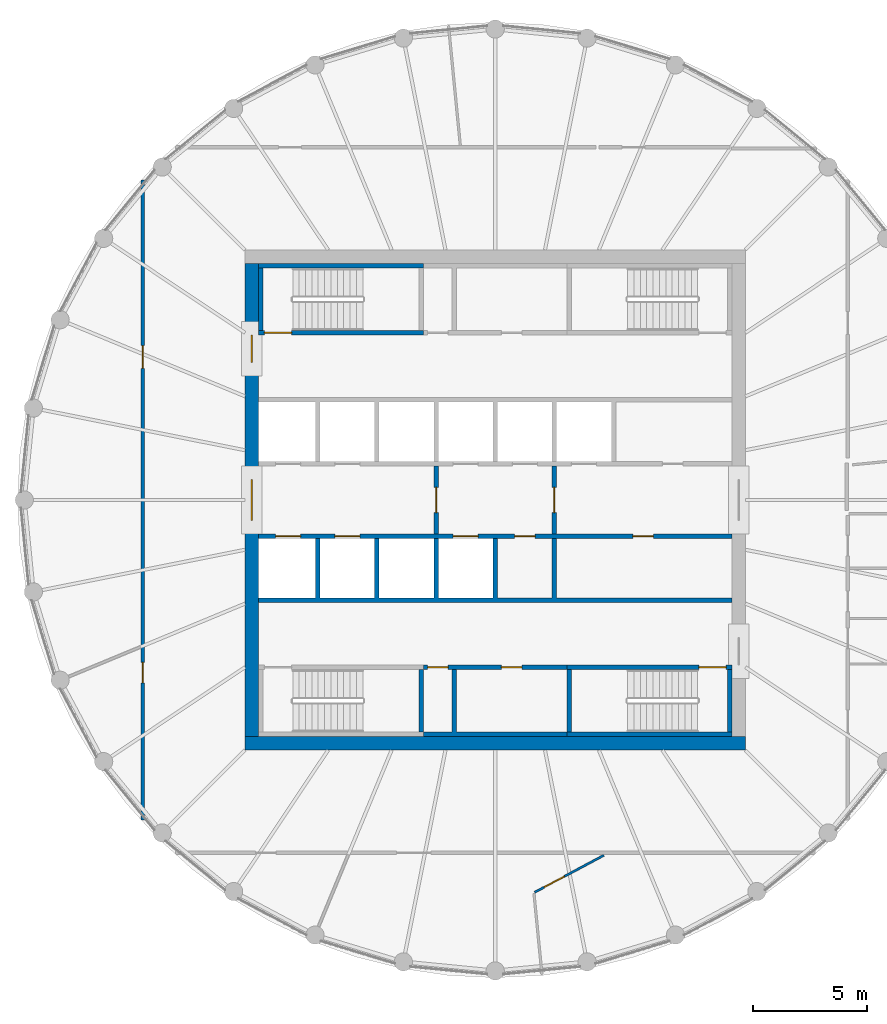
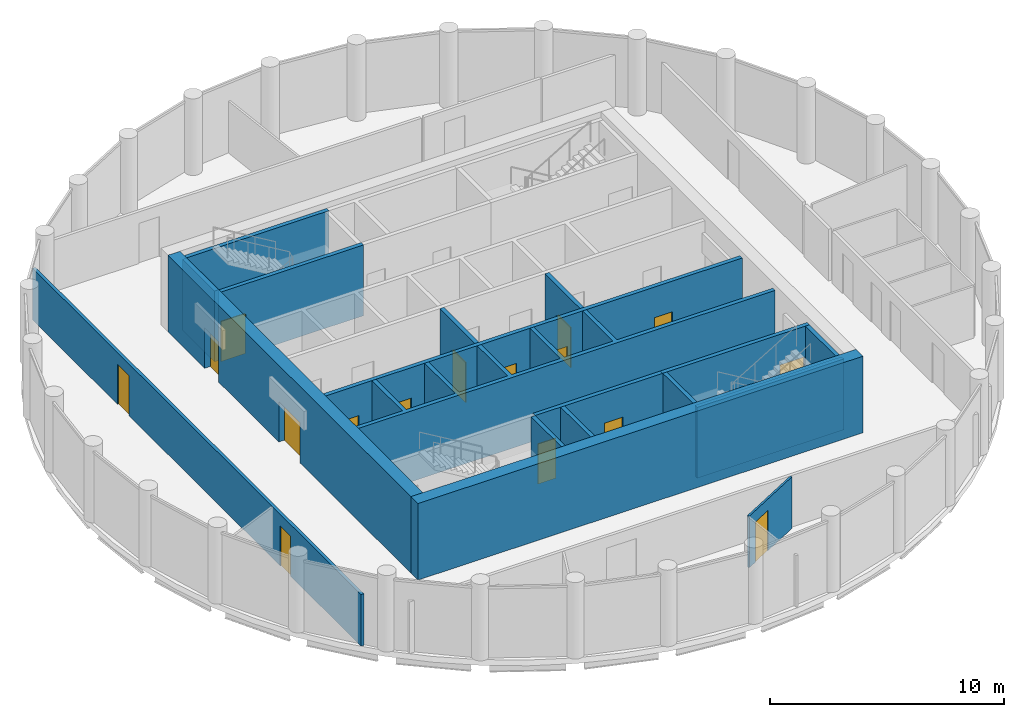
# One storey, part 4 of 7: 18 walls, 16 doors, 16 openings.
"""IFC4 building model written with IfcOpenShell, lengths in metres."""

from ifc_helpers import new_model, si_unit, direction, frame, frame_2d, origin, place, context, subcontext, project, spatial, polyline, rectangle, outline, extrude, material, layer, layer_set, type_object, element, fill, save


model = new_model("IFC4")

# Units and contexts
model_context = context("Model", 3, precision=1e-05, world=origin(), true_north=direction((0.0, 1.0)))
body_context = subcontext(model_context, "Body", "Model", "MODEL_VIEW")
ifc_project = project(units=[si_unit("LENGTHUNIT", "METRE"), si_unit("AREAUNIT", "SQUARE_METRE"), si_unit("VOLUMEUNIT", "CUBIC_METRE"), si_unit("PLANEANGLEUNIT", "RADIAN"), si_unit("MASSUNIT", "GRAM", prefix="KILO")], contexts=[model_context])

# Site, building, storey
site_placement = place(None, origin())
site = spatial("IfcSite", under=ifc_project, at=site_placement, CompositionType="ELEMENT")
building_placement = place(site_placement, origin())
building = spatial("IfcBuilding", under=site, at=building_placement, Name="Corvane Civic Tower", CompositionType="ELEMENT")
storey_placement = place(building_placement, frame((0.0, 0.0, 352.5)))
storey = spatial("IfcBuildingStorey", under=building, at=storey_placement, Name="L84", CompositionType="ELEMENT", Elevation=352.5)

# Wall
ifc_material_1 = material(Name="Concrete C40/50", Category="concrete")
ifc_layer_1 = layer(ifc_material_1, 0.60009765625)
ifc_layer_set_1 = layer_set([ifc_layer_1], Name="Concrete C40/50")
wall_type_1 = type_object("IfcWallType", Name="CORE WALL 600 C40/50", PredefinedType="SHEAR", material=ifc_layer_set_1)
wall_1_placement = place(storey_placement, frame((-11.0, -10.699951171875, 0.0), z_axis=(0.0, 0.0, 1.0), x_axis=(1.0, 0.0, 0.0)))
element("IfcWall", 1, at=wall_1_placement, inside=storey, type_object=wall_type_1, Name="W-L84-core-S", PredefinedType="SHEAR", context=body_context, shape_type="SweptSolid", body=[
    extrude(rectangle(XDim=22.0, YDim=0.60009765625, at=frame_2d((11.0, 0.0))), origin(), (0.0, 0.0, 1.0), 4.0),
])

# Wall, openings, doors
wall_2_placement = place(storey_placement, frame((-10.699951171875, -10.39990234375, 0.0), z_axis=(0.0, 0.0, 1.0), x_axis=(0.0, 1.0, 0.0)))
wall_2 = element("IfcWall", 2, at=wall_2_placement, inside=storey, type_object=wall_type_1, Name="W-L84-core-W", PredefinedType="SHEAR", context=body_context, shape_type="SweptSolid", body=[
    extrude(rectangle(XDim=20.7998046875, YDim=0.60009765625, at=frame_2d((10.39990234375, 0.0))), origin(), (0.0, 0.0, 1.0), 4.0),
])
opening_1_placement = place(wall_2_placement, frame((9.5, 0.0, 0.0)))
opening_1 = element("IfcOpeningElement", 3, at=opening_1_placement, cuts=wall_2, Name="Opening L84.C14", PredefinedType="OPENING", context=body_context, shape_type="SweptSolid", body=[
    extrude(rectangle(XDim=1.800048828125, YDim=2.10009765625, at=frame_2d((0.89990234375, 1.050048828125))), frame((0.0, 0.31005859375, 0.0), z_axis=(0.0, -1.0, 0.0), x_axis=(1.0, 0.0, 0.0)), (0.0, 0.0, 1.0), 0.6201171875),
])
opening_2_placement = place(wall_2_placement, frame((16.449951171875, 0.0, 0.0)))
opening_2 = element("IfcOpeningElement", 4, at=opening_2_placement, cuts=wall_2, Name="Opening L84.C16", PredefinedType="OPENING", context=body_context, shape_type="SweptSolid", body=[
    extrude(rectangle(XDim=1.199951171875, YDim=2.10009765625, at=frame_2d((0.60009765625, 1.050048828125))), frame((0.0, 0.31005859375, 0.0), z_axis=(0.0, -1.0, 0.0), x_axis=(1.0, 0.0, 0.0)), (0.0, 0.0, 1.0), 0.6201171875),
])
ifc_material_2 = material(Name="Steel fire door leaf", Category="steel")
door_type_1 = type_object("IfcDoorType", Name="CR-DOOR-CORE-1800", OperationType="DOUBLE_DOOR_SINGLE_SWING", PredefinedType="DOOR", material=ifc_material_2)
door_1_placement = place(opening_1_placement, origin())
door_1 = element("IfcDoor", 5, at=door_1_placement, inside=storey, type_object=door_type_1, Name="L84 door", OperationType="DOUBLE_DOOR_SINGLE_SWING", OverallHeight=2.10009765625, OverallWidth=1.800048828125, PredefinedType="DOOR", context=body_context, shape_type="SweptSolid", body=[
    extrude(rectangle(XDim=1.800048828125, YDim=2.10009765625, at=frame_2d((0.89990234375, 1.050048828125))), frame((0.0, 0.02490234375, 0.0), z_axis=(0.0, -1.0, 0.0), x_axis=(1.0, 0.0, 0.0)), (0.0, 0.0, 1.0), 0.050048828125),
])
fill(opening_1, door_1)
door_2_placement = place(opening_2_placement, origin())
door_2 = element("IfcDoor", 6, at=door_2_placement, inside=storey, type_object=door_type_1, Name="L84 door", OperationType="DOUBLE_DOOR_SINGLE_SWING", OverallHeight=2.10009765625, OverallWidth=1.199951171875, PredefinedType="DOOR", context=body_context, shape_type="SweptSolid", body=[
    extrude(rectangle(XDim=1.199951171875, YDim=2.10009765625, at=frame_2d((0.60009765625, 1.050048828125))), frame((0.0, 0.02490234375, 0.0), z_axis=(0.0, -1.0, 0.0), x_axis=(1.0, 0.0, 0.0)), (0.0, 0.0, 1.0), 0.050048828125),
])
fill(opening_2, door_2)

ifc_material_3 = material(Name="Concrete C30/37", Category="concrete")
ifc_layer_2 = layer(ifc_material_3, 0.199951171875)
ifc_layer_set_2 = layer_set([ifc_layer_2], Name="Concrete C30/37")
wall_type_2 = type_object("IfcWallType", Name="CR-WALL-200", PredefinedType="PARTITIONING", material=ifc_layer_set_2)
wall_3_placement = place(storey_placement, frame((-3.14990234375, -7.35009765625, 0.0), z_axis=(0.0, 0.0, 1.0), x_axis=(1.0, 0.0, 0.0)))
wall_3 = element("IfcWall", 7, at=wall_3_placement, inside=storey, type_object=wall_type_2, Name="L84 core partition wall", PredefinedType="PARTITIONING", context=body_context, shape_type="SweptSolid", body=[
    extrude(rectangle(XDim=6.2998046875, YDim=0.199951171875, at=frame_2d((3.14990234375, 0.0))), origin(), (0.0, 0.0, 1.0), 3.699951171875),
])
opening_3_placement = place(wall_3_placement, frame((0.175048828125, 0.0, 0.0)))
opening_3 = element("IfcOpeningElement", 8, at=opening_3_placement, cuts=wall_3, Name="Opening L84.C06", PredefinedType="OPENING", context=body_context, shape_type="SweptSolid", body=[
    extrude(rectangle(XDim=0.89990234375, YDim=2.10009765625, at=frame_2d((0.449951171875, 1.050048828125))), frame((0.0, 0.10986328125, 0.0), z_axis=(0.0, -1.0, 0.0), x_axis=(1.0, 0.0, 0.0)), (0.0, 0.0, 1.0), 0.219970703125),
])
opening_4_placement = place(wall_3_placement, frame((3.425048828125, 0.0, 0.0)))
opening_4 = element("IfcOpeningElement", 9, at=opening_4_placement, cuts=wall_3, Name="Opening L84.C07", PredefinedType="OPENING", context=body_context, shape_type="SweptSolid", body=[
    extrude(rectangle(XDim=0.89990234375, YDim=2.10009765625, at=frame_2d((0.449951171875, 1.050048828125))), frame((0.0, 0.10986328125, 0.0), z_axis=(0.0, -1.0, 0.0), x_axis=(1.0, 0.0, 0.0)), (0.0, 0.0, 1.0), 0.219970703125),
])
ifc_material_4 = material(Name="Steel fire door leaf", Category="steel")
door_type_2 = type_object("IfcDoorType", Name="CR-DOOR-900", OperationType="SINGLE_SWING_LEFT", PredefinedType="DOOR", material=ifc_material_4)
door_3_placement = place(opening_3_placement, origin())
door_3 = element("IfcDoor", 10, at=door_3_placement, inside=storey, type_object=door_type_2, Name="L84 door", OperationType="SINGLE_SWING_LEFT", OverallHeight=2.10009765625, OverallWidth=0.89990234375, PredefinedType="DOOR", context=body_context, shape_type="SweptSolid", body=[
    extrude(rectangle(XDim=0.89990234375, YDim=2.10009765625, at=frame_2d((0.449951171875, 1.050048828125))), frame((0.0, 0.02490234375, 0.0), z_axis=(0.0, -1.0, 0.0), x_axis=(1.0, 0.0, 0.0)), (0.0, 0.0, 1.0), 0.050048828125),
])
fill(opening_3, door_3)
door_4_placement = place(opening_4_placement, origin())
door_4 = element("IfcDoor", 11, at=door_4_placement, inside=storey, type_object=door_type_2, Name="L84 door", OperationType="SINGLE_SWING_LEFT", OverallHeight=2.10009765625, OverallWidth=0.89990234375, PredefinedType="DOOR", context=body_context, shape_type="SweptSolid", body=[
    extrude(rectangle(XDim=0.89990234375, YDim=2.10009765625, at=frame_2d((0.449951171875, 1.050048828125))), frame((0.0, 0.02490234375, 0.0), z_axis=(0.0, -1.0, 0.0), x_axis=(1.0, 0.0, 0.0)), (0.0, 0.0, 1.0), 0.050048828125),
])
fill(opening_4, door_4)

wall_4_placement = place(storey_placement, frame((-10.39990234375, -1.60009765625, 0.0), z_axis=(0.0, 0.0, 1.0), x_axis=(1.0, 0.0, 0.0)))
wall_4 = element("IfcWall", 12, at=wall_4_placement, inside=storey, type_object=wall_type_2, Name="L84 lift shaft wall", PredefinedType="PARTITIONING", context=body_context, shape_type="SweptSolid", body=[
    extrude(rectangle(XDim=20.7998046875, YDim=0.199951171875, at=frame_2d((10.39990234375, 0.0))), origin(), (0.0, 0.0, 1.0), 3.699951171875),
])
opening_5_placement = place(wall_4_placement, frame((0.75, 0.0, 0.0)))
opening_5 = element("IfcOpeningElement", 13, at=opening_5_placement, cuts=wall_4, Name="Opening LD", PredefinedType="OPENING", context=body_context, shape_type="SweptSolid", body=[
    extrude(rectangle(XDim=1.10009765625, YDim=2.10009765625, at=frame_2d((0.550048828125, 1.050048828125))), frame((0.0, 0.10986328125, 0.0), z_axis=(0.0, -1.0, 0.0), x_axis=(1.0, 0.0, 0.0)), (0.0, 0.0, 1.0), 0.219970703125),
])
opening_6_placement = place(wall_4_placement, frame((3.35009765625, 0.0, 0.0)))
opening_6 = element("IfcOpeningElement", 14, at=opening_6_placement, cuts=wall_4, Name="Opening LD", PredefinedType="OPENING", context=body_context, shape_type="SweptSolid", body=[
    extrude(rectangle(XDim=1.10009765625, YDim=2.10009765625, at=frame_2d((0.550048828125, 1.050048828125))), frame((0.0, 0.10986328125, 0.0), z_axis=(0.0, -1.0, 0.0), x_axis=(1.0, 0.0, 0.0)), (0.0, 0.0, 1.0), 0.219970703125),
])
opening_7_placement = place(wall_4_placement, frame((8.550048828125, 0.0, 0.0)))
opening_7 = element("IfcOpeningElement", 15, at=opening_7_placement, cuts=wall_4, Name="Opening LD", PredefinedType="OPENING", context=body_context, shape_type="SweptSolid", body=[
    extrude(rectangle(XDim=1.10009765625, YDim=2.10009765625, at=frame_2d((0.550048828125, 1.050048828125))), frame((0.0, 0.10986328125, 0.0), z_axis=(0.0, -1.0, 0.0), x_axis=(1.0, 0.0, 0.0)), (0.0, 0.0, 1.0), 0.219970703125),
])
opening_8_placement = place(wall_4_placement, frame((11.25, 0.0, 0.0)))
opening_8 = element("IfcOpeningElement", 16, at=opening_8_placement, cuts=wall_4, Name="Opening L84.C02", PredefinedType="OPENING", context=body_context, shape_type="SweptSolid", body=[
    extrude(rectangle(XDim=0.89990234375, YDim=2.10009765625, at=frame_2d((0.449951171875, 1.050048828125))), frame((0.0, 0.10986328125, 0.0), z_axis=(0.0, -1.0, 0.0), x_axis=(1.0, 0.0, 0.0)), (0.0, 0.0, 1.0), 0.219970703125),
])
opening_9_placement = place(wall_4_placement, frame((16.449951171875, 0.0, 0.0)))
opening_9 = element("IfcOpeningElement", 17, at=opening_9_placement, cuts=wall_4, Name="Opening L84.C03", PredefinedType="OPENING", context=body_context, shape_type="SweptSolid", body=[
    extrude(rectangle(XDim=0.89990234375, YDim=2.10009765625, at=frame_2d((0.449951171875, 1.050048828125))), frame((0.0, 0.10986328125, 0.0), z_axis=(0.0, -1.0, 0.0), x_axis=(1.0, 0.0, 0.0)), (0.0, 0.0, 1.0), 0.219970703125),
])
door_5_placement = place(opening_8_placement, origin())
door_5 = element("IfcDoor", 18, at=door_5_placement, inside=storey, type_object=door_type_2, Name="L84 door", OperationType="SINGLE_SWING_LEFT", OverallHeight=2.10009765625, OverallWidth=0.89990234375, PredefinedType="DOOR", context=body_context, shape_type="SweptSolid", body=[
    extrude(rectangle(XDim=0.89990234375, YDim=2.10009765625, at=frame_2d((0.449951171875, 1.050048828125))), frame((0.0, 0.02490234375, 0.0), z_axis=(0.0, -1.0, 0.0), x_axis=(1.0, 0.0, 0.0)), (0.0, 0.0, 1.0), 0.050048828125),
])
fill(opening_8, door_5)
door_6_placement = place(opening_9_placement, origin())
door_6 = element("IfcDoor", 19, at=door_6_placement, inside=storey, type_object=door_type_2, Name="L84 door", OperationType="SINGLE_SWING_LEFT", OverallHeight=2.10009765625, OverallWidth=0.89990234375, PredefinedType="DOOR", context=body_context, shape_type="SweptSolid", body=[
    extrude(rectangle(XDim=0.89990234375, YDim=2.10009765625, at=frame_2d((0.449951171875, 1.050048828125))), frame((0.0, 0.02490234375, 0.0), z_axis=(0.0, -1.0, 0.0), x_axis=(1.0, 0.0, 0.0)), (0.0, 0.0, 1.0), 0.050048828125),
])
fill(opening_9, door_6)
ifc_material_5 = material(Name="Stainless steel 316 door leaves", Category="steel")
door_type_3 = type_object("IfcDoorType", Name="LD", OperationType="DOUBLE_DOOR_SLIDING", PredefinedType="DOOR", material=ifc_material_5)
door_7_placement = place(opening_5_placement, origin())
door_7 = element("IfcDoor", 20, at=door_7_placement, inside=storey, type_object=door_type_3, Name="L84 landing door", OperationType="DOUBLE_DOOR_SLIDING", OverallHeight=2.10009765625, OverallWidth=1.10009765625, PredefinedType="DOOR", context=body_context, shape_type="SweptSolid", body=[
    extrude(rectangle(XDim=1.10009765625, YDim=2.10009765625, at=frame_2d((0.550048828125, 1.050048828125))), frame((0.0, 0.02490234375, 0.0), z_axis=(0.0, -1.0, 0.0), x_axis=(1.0, 0.0, 0.0)), (0.0, 0.0, 1.0), 0.050048828125),
])
fill(opening_5, door_7)
door_8_placement = place(opening_6_placement, origin())
door_8 = element("IfcDoor", 21, at=door_8_placement, inside=storey, type_object=door_type_3, Name="L84 landing door", OperationType="DOUBLE_DOOR_SLIDING", OverallHeight=2.10009765625, OverallWidth=1.10009765625, PredefinedType="DOOR", context=body_context, shape_type="SweptSolid", body=[
    extrude(rectangle(XDim=1.10009765625, YDim=2.10009765625, at=frame_2d((0.550048828125, 1.050048828125))), frame((0.0, 0.02490234375, 0.0), z_axis=(0.0, -1.0, 0.0), x_axis=(1.0, 0.0, 0.0)), (0.0, 0.0, 1.0), 0.050048828125),
])
fill(opening_6, door_8)
door_9_placement = place(opening_7_placement, origin())
door_9 = element("IfcDoor", 22, at=door_9_placement, inside=storey, type_object=door_type_3, Name="L84 landing door", OperationType="DOUBLE_DOOR_SLIDING", OverallHeight=2.10009765625, OverallWidth=1.10009765625, PredefinedType="DOOR", context=body_context, shape_type="SweptSolid", body=[
    extrude(rectangle(XDim=1.10009765625, YDim=2.10009765625, at=frame_2d((0.550048828125, 1.050048828125))), frame((0.0, 0.02490234375, 0.0), z_axis=(0.0, -1.0, 0.0), x_axis=(1.0, 0.0, 0.0)), (0.0, 0.0, 1.0), 0.050048828125),
])
fill(opening_7, door_9)

# Wall, opening, door
wall_5_placement = place(storey_placement, frame((-2.60009765625, -1.5, 0.0), z_axis=(0.0, 0.0, 1.0), x_axis=(0.0, 1.0, 0.0)))
wall_5 = element("IfcWall", 23, at=wall_5_placement, inside=storey, type_object=wall_type_2, Name="L84 firefighting lobby wall", PredefinedType="PARTITIONING", context=body_context, shape_type="SweptSolid", body=[
    extrude(rectangle(XDim=3.0, YDim=0.199951171875, at=frame_2d((1.5, 0.0))), origin(), (0.0, 0.0, 1.0), 3.699951171875),
])
opening_10_placement = place(wall_5_placement, frame((0.949951171875, 0.0, 0.0)))
opening_10 = element("IfcOpeningElement", 24, at=opening_10_placement, cuts=wall_5, Name="Opening L84.C12", PredefinedType="OPENING", context=body_context, shape_type="SweptSolid", body=[
    extrude(rectangle(XDim=1.10009765625, YDim=2.10009765625, at=frame_2d((0.550048828125, 1.050048828125))), frame((0.0, 0.10986328125, 0.0), z_axis=(0.0, -1.0, 0.0), x_axis=(1.0, 0.0, 0.0)), (0.0, 0.0, 1.0), 0.219970703125),
])
ifc_material_6 = material(Name="Steel fire door leaf", Category="steel")
door_type_4 = type_object("IfcDoorType", Name="CR-DOOR-FFL-1100", OperationType="SINGLE_SWING_LEFT", PredefinedType="DOOR", material=ifc_material_6)
door_10_placement = place(opening_10_placement, origin())
door_10 = element("IfcDoor", 25, at=door_10_placement, inside=storey, type_object=door_type_4, Name="L84 lobby door", OperationType="SINGLE_SWING_LEFT", OverallHeight=2.10009765625, OverallWidth=1.10009765625, PredefinedType="DOOR", context=body_context, shape_type="SweptSolid", body=[
    extrude(rectangle(XDim=1.10009765625, YDim=2.10009765625, at=frame_2d((0.550048828125, 1.050048828125))), frame((0.0, 0.02490234375, 0.0), z_axis=(0.0, -1.0, 0.0), x_axis=(1.0, 0.0, 0.0)), (0.0, 0.0, 1.0), 0.050048828125),
])
fill(opening_10, door_10)

wall_6_placement = place(storey_placement, frame((2.60009765625, -1.5, 0.0), z_axis=(0.0, 0.0, 1.0), x_axis=(0.0, 1.0, 0.0)))
wall_6 = element("IfcWall", 26, at=wall_6_placement, inside=storey, type_object=wall_type_2, Name="L84 firefighting lobby wall", PredefinedType="PARTITIONING", context=body_context, shape_type="SweptSolid", body=[
    extrude(rectangle(XDim=3.0, YDim=0.199951171875, at=frame_2d((1.5, 0.0))), origin(), (0.0, 0.0, 1.0), 3.699951171875),
])
opening_11_placement = place(wall_6_placement, frame((0.949951171875, 0.0, 0.0)))
opening_11 = element("IfcOpeningElement", 27, at=opening_11_placement, cuts=wall_6, Name="Opening L84.C13", PredefinedType="OPENING", context=body_context, shape_type="SweptSolid", body=[
    extrude(rectangle(XDim=1.10009765625, YDim=2.10009765625, at=frame_2d((0.550048828125, 1.050048828125))), frame((0.0, 0.10986328125, 0.0), z_axis=(0.0, -1.0, 0.0), x_axis=(1.0, 0.0, 0.0)), (0.0, 0.0, 1.0), 0.219970703125),
])
door_11_placement = place(opening_11_placement, origin())
door_11 = element("IfcDoor", 28, at=door_11_placement, inside=storey, type_object=door_type_4, Name="L84 lobby door", OperationType="SINGLE_SWING_LEFT", OverallHeight=2.10009765625, OverallWidth=1.10009765625, PredefinedType="DOOR", context=body_context, shape_type="SweptSolid", body=[
    extrude(rectangle(XDim=1.10009765625, YDim=2.10009765625, at=frame_2d((0.550048828125, 1.050048828125))), frame((0.0, 0.02490234375, 0.0), z_axis=(0.0, -1.0, 0.0), x_axis=(1.0, 0.0, 0.0)), (0.0, 0.0, 1.0), 0.050048828125),
])
fill(opening_11, door_11)

# Walls
wall_7_placement = place(storey_placement, origin())
element("IfcWall", 29, at=wall_7_placement, inside=storey, type_object=wall_type_2, Name="L84 core partition wall", PredefinedType="PARTITIONING", context=body_context, shape_type="SweptSolid", body=[
    extrude(outline(polyline([(-7.89990234375, -1.699951171875), (-7.699951171875, -1.699951171875), (-7.699951171875, -4.300048828125), (-5.300048828125, -4.300048828125), (-5.300048828125, -1.699951171875), (-5.10009765625, -1.699951171875), (-5.10009765625, -4.300048828125), (-2.699951171875, -4.300048828125), (-2.699951171875, -1.699951171875), (-2.5, -1.699951171875), (-2.5, -4.300048828125), (-0.10009765625, -4.300048828125), (-0.10009765625, -1.699951171875), (0.10009765625, -1.699951171875), (0.10009765625, -4.300048828125), (2.5, -4.300048828125), (2.5, -1.699951171875), (2.699951171875, -1.699951171875), (2.699951171875, -4.300048828125), (10.39990234375, -4.300048828125), (10.39990234375, -4.5), (-10.39990234375, -4.5), (-10.39990234375, -4.300048828125), (-7.89990234375, -4.300048828125), (-7.89990234375, -1.699951171875)])), origin(), (0.0, 0.0, 1.0), 3.699951171875),
])
wall_8_placement = place(storey_placement, origin())
element("IfcWall", 30, at=wall_8_placement, inside=storey, type_object=wall_type_2, Name="L84 core partition wall", PredefinedType="PARTITIONING", context=body_context, shape_type="SweptSolid", body=[
    extrude(outline(polyline([(-1.89990234375, -7.449951171875), (-1.699951171875, -7.449951171875), (-1.699951171875, -10.199951171875), (3.14990234375, -10.199951171875), (3.14990234375, -10.39990234375), (-3.14990234375, -10.39990234375), (-3.14990234375, -10.199951171875), (-1.89990234375, -10.199951171875), (-1.89990234375, -7.449951171875)])), origin(), (0.0, 0.0, 1.0), 3.699951171875),
])

# Wall, opening, door
ifc_material_7 = material(Name="Plasterboard")
ifc_layer_3 = layer(ifc_material_7, 0.10009765625)
ifc_layer_set_3 = layer_set([ifc_layer_3], Name="Plasterboard")
wall_type_3 = type_object("IfcWallType", Name="Partition 100 plasterboard on studs", PredefinedType="PARTITIONING", material=ifc_layer_set_3)
wall_9_placement = place(storey_placement, frame((1.729736328125, -17.24658203125, 0.0), z_axis=(0.0, 0.0, 1.0), x_axis=(0.881933696046, 0.471373478018, 0.0)))
wall_9 = element("IfcWall", 31, at=wall_9_placement, inside=storey, type_object=wall_type_3, Name="Partition L84.003", PredefinedType="PARTITIONING", context=body_context, shape_type="SweptSolid", body=[
    extrude(rectangle(XDim=3.45263671875, YDim=0.10009765625, at=frame_2d((1.726318359375, 0.0))), origin(), (0.0, 0.0, 1.0), 2.699951171875),
])
opening_12_placement = place(wall_9_placement, frame((0.48046875, 0.0, 0.0)))
opening_12 = element("IfcOpeningElement", 32, at=opening_12_placement, cuts=wall_9, Name="Opening L84.011", PredefinedType="OPENING", context=body_context, shape_type="SweptSolid", body=[
    extrude(rectangle(XDim=1.0, YDim=2.10009765625, at=frame_2d((0.5, 1.050048828125))), frame((0.0, 0.06005859375, 0.0), z_axis=(0.0, -1.0, 0.0), x_axis=(1.0, 0.0, 0.0)), (0.0, 0.0, 1.0), 0.1201171875),
])
ifc_material_8 = material(Name="Timber", Category="wood")
door_type_5 = type_object("IfcDoorType", Name="Single door 1000", OperationType="NOTDEFINED", PredefinedType="DOOR", material=ifc_material_8)
door_12_placement = place(opening_12_placement, frame((1.0, 0.0, 0.0), z_axis=(0.0, 0.0, 1.0), x_axis=(-1.0, 0.0, 0.0)))
door_12 = element("IfcDoor", 33, at=door_12_placement, inside=storey, type_object=door_type_5, Name="Door L84.011", OperationType="SINGLE_SWING_RIGHT", OverallHeight=2.10009765625, OverallWidth=1.0, PredefinedType="DOOR", context=body_context, shape_type="SweptSolid", body=[
    extrude(rectangle(XDim=1.0, YDim=2.10009765625, at=frame_2d((0.5, 1.050048828125))), frame((0.0, 0.02490234375, 0.0), z_axis=(0.0, -1.0, 0.0), x_axis=(1.0, 0.0, 0.0)), (0.0, 0.0, 1.0), 0.050048828125),
])
fill(opening_12, door_12)

ifc_material_9 = material(Name="Concrete C50/60", Category="concrete")
ifc_layer_4 = layer(ifc_material_9, 0.199951171875)
ifc_layer_set_4 = layer_set([ifc_layer_4], Name="Concrete C50/60")
wall_type_4 = type_object("IfcWallType", Name="ST-WALL-200", PredefinedType="SHEAR", material=ifc_layer_set_4)
wall_10_placement = place(storey_placement, frame((3.14990234375, -7.35009765625, 0.0), z_axis=(0.0, 0.0, 1.0), x_axis=(1.0, 0.0, 0.0)))
wall_10 = element("IfcWall", 34, at=wall_10_placement, inside=storey, type_object=wall_type_4, Name="L84 stair enclosure wall", PredefinedType="SHEAR", context=body_context, shape_type="SweptSolid", body=[
    extrude(rectangle(XDim=7.25, YDim=0.199951171875, at=frame_2d((3.625, 0.0))), origin(), (0.0, 0.0, 1.0), 3.699951171875),
])
opening_13_placement = place(wall_10_placement, frame((5.800048828125, 0.0, 0.0)))
opening_13 = element("IfcOpeningElement", 35, at=opening_13_placement, cuts=wall_10, Name="Opening L84.C10", PredefinedType="OPENING", context=body_context, shape_type="SweptSolid", body=[
    extrude(rectangle(XDim=1.199951171875, YDim=2.10009765625, at=frame_2d((0.60009765625, 1.050048828125))), frame((0.0, 0.10986328125, 0.0), z_axis=(0.0, -1.0, 0.0), x_axis=(1.0, 0.0, 0.0)), (0.0, 0.0, 1.0), 0.219970703125),
])
ifc_material_10 = material(Name="Steel fire door leaf", Category="steel")
door_type_6 = type_object("IfcDoorType", Name="ST-DOOR-1200", OperationType="SINGLE_SWING_RIGHT", PredefinedType="DOOR", material=ifc_material_10)
door_13_placement = place(opening_13_placement, origin())
door_13 = element("IfcDoor", 36, at=door_13_placement, inside=storey, type_object=door_type_6, Name="L84 stair door", OperationType="SINGLE_SWING_RIGHT", OverallHeight=2.10009765625, OverallWidth=1.199951171875, PredefinedType="DOOR", context=body_context, shape_type="SweptSolid", body=[
    extrude(rectangle(XDim=1.199951171875, YDim=2.10009765625, at=frame_2d((0.60009765625, 1.050048828125))), frame((0.0, 0.02490234375, 0.0), z_axis=(0.0, -1.0, 0.0), x_axis=(1.0, 0.0, 0.0)), (0.0, 0.0, 1.0), 0.050048828125),
])
fill(opening_13, door_13)

wall_11_placement = place(storey_placement, frame((-10.39990234375, 7.35009765625, 0.0), z_axis=(0.0, 0.0, 1.0), x_axis=(1.0, 0.0, 0.0)))
wall_11 = element("IfcWall", 37, at=wall_11_placement, inside=storey, type_object=wall_type_4, Name="L84 stair enclosure wall", PredefinedType="SHEAR", context=body_context, shape_type="SweptSolid", body=[
    extrude(rectangle(XDim=7.25, YDim=0.199951171875, at=frame_2d((3.625, 0.0))), origin(), (0.0, 0.0, 1.0), 3.699951171875),
])
opening_14_placement = place(wall_11_placement, frame((0.25, 0.0, 0.0)))
opening_14 = element("IfcOpeningElement", 38, at=opening_14_placement, cuts=wall_11, Name="Opening L84.C09", PredefinedType="OPENING", context=body_context, shape_type="SweptSolid", body=[
    extrude(rectangle(XDim=1.199951171875, YDim=2.10009765625, at=frame_2d((0.60009765625, 1.050048828125))), frame((0.0, 0.10986328125, 0.0), z_axis=(0.0, -1.0, 0.0), x_axis=(1.0, 0.0, 0.0)), (0.0, 0.0, 1.0), 0.219970703125),
])
door_14_placement = place(opening_14_placement, origin())
door_14 = element("IfcDoor", 39, at=door_14_placement, inside=storey, type_object=door_type_6, Name="L84 stair door", OperationType="SINGLE_SWING_RIGHT", OverallHeight=2.10009765625, OverallWidth=1.199951171875, PredefinedType="DOOR", context=body_context, shape_type="SweptSolid", body=[
    extrude(rectangle(XDim=1.199951171875, YDim=2.10009765625, at=frame_2d((0.60009765625, 1.050048828125))), frame((0.0, 0.02490234375, 0.0), z_axis=(0.0, -1.0, 0.0), x_axis=(1.0, 0.0, 0.0)), (0.0, 0.0, 1.0), 0.050048828125),
])
fill(opening_14, door_14)

# Walls
wall_12_placement = place(storey_placement, origin())
element("IfcWall", 40, at=wall_12_placement, inside=storey, type_object=wall_type_4, Name="L84 stair enclosure wall", PredefinedType="SHEAR", context=body_context, shape_type="SweptSolid", body=[
    extrude(outline(polyline([(-3.14990234375, 10.199951171875), (-10.39990234375, 10.199951171875), (-10.39990234375, 10.39990234375), (-3.14990234375, 10.39990234375), (-3.14990234375, 10.199951171875)])), origin(), (0.0, 0.0, 1.0), 3.699951171875),
])
wall_13_placement = place(storey_placement, origin())
element("IfcWall", 41, at=wall_13_placement, inside=storey, type_object=wall_type_4, Name="L84 stair enclosure wall", PredefinedType="SHEAR", context=body_context, shape_type="SweptSolid", body=[
    extrude(outline(polyline([(10.39990234375, -10.39990234375), (3.14990234375, -10.39990234375), (3.14990234375, -10.199951171875), (10.39990234375, -10.199951171875), (10.39990234375, -10.39990234375)])), origin(), (0.0, 0.0, 1.0), 3.699951171875),
])
wall_14_placement = place(storey_placement, origin())
element("IfcWall", 42, at=wall_14_placement, inside=storey, type_object=wall_type_4, Name="L84 stair enclosure wall", PredefinedType="SHEAR", context=body_context, shape_type="SweptSolid", body=[
    extrude(outline(polyline([(-3.14990234375, -7.449951171875), (-3.14990234375, -10.199951171875), (-3.35009765625, -10.199951171875), (-3.35009765625, -7.449951171875), (-3.14990234375, -7.449951171875)])), origin(), (0.0, 0.0, 1.0), 3.699951171875),
])
wall_15_placement = place(storey_placement, origin())
element("IfcWall", 43, at=wall_15_placement, inside=storey, type_object=wall_type_4, Name="L84 stair enclosure wall", PredefinedType="SHEAR", context=body_context, shape_type="SweptSolid", body=[
    extrude(outline(polyline([(3.35009765625, -7.449951171875), (3.35009765625, -10.199951171875), (3.14990234375, -10.199951171875), (3.14990234375, -7.449951171875), (3.35009765625, -7.449951171875)])), origin(), (0.0, 0.0, 1.0), 3.699951171875),
])
wall_16_placement = place(storey_placement, origin())
element("IfcWall", 44, at=wall_16_placement, inside=storey, type_object=wall_type_4, Name="L84 stair enclosure wall", PredefinedType="SHEAR", context=body_context, shape_type="SweptSolid", body=[
    extrude(outline(polyline([(-10.199951171875, 7.449951171875), (-10.39990234375, 7.449951171875), (-10.39990234375, 10.199951171875), (-10.199951171875, 10.199951171875), (-10.199951171875, 7.449951171875)])), origin(), (0.0, 0.0, 1.0), 3.699951171875),
])
wall_17_placement = place(storey_placement, origin())
element("IfcWall", 45, at=wall_17_placement, inside=storey, type_object=wall_type_4, Name="L84 stair enclosure wall", PredefinedType="SHEAR", context=body_context, shape_type="SweptSolid", body=[
    extrude(outline(polyline([(10.39990234375, -7.449951171875), (10.39990234375, -10.199951171875), (10.199951171875, -10.199951171875), (10.199951171875, -7.449951171875), (10.39990234375, -7.449951171875)])), origin(), (0.0, 0.0, 1.0), 3.699951171875),
])

# Wall, openings, doors
ifc_material_11 = material(Name="Plasterboard")
ifc_layer_5 = layer(ifc_material_11, 0.14990234375)
ifc_layer_set_5 = layer_set([ifc_layer_5], Name="Plasterboard")
wall_type_5 = type_object("IfcWallType", Name="Tenancy wall 150 EI 60", PredefinedType="PARTITIONING", material=ifc_layer_set_5)
wall_18_placement = place(storey_placement, frame((-15.5, -14.05712890625, 0.0), z_axis=(0.0, 0.0, 1.0), x_axis=(0.0, 1.0, 0.0)))
wall_18 = element("IfcWall", 46, at=wall_18_placement, inside=storey, type_object=wall_type_5, Name="Partition L84.005", PredefinedType="PARTITIONING", context=body_context, shape_type="SweptSolid", body=[
    extrude(rectangle(XDim=28.1142578125, YDim=0.14990234375, at=frame_2d((14.05712890625, 0.0))), origin(), (0.0, 0.0, 1.0), 2.699951171875),
])
opening_15_placement = place(wall_18_placement, frame((6.0224609375, 0.0, 0.0)))
opening_15 = element("IfcOpeningElement", 47, at=opening_15_placement, cuts=wall_18, Name="Opening L84.002", PredefinedType="OPENING", context=body_context, shape_type="SweptSolid", body=[
    extrude(rectangle(XDim=0.89990234375, YDim=2.10009765625, at=frame_2d((0.449951171875, 1.050048828125))), frame((0.0, 0.0849609375, 0.0), z_axis=(0.0, -1.0, 0.0), x_axis=(1.0, 0.0, 0.0)), (0.0, 0.0, 1.0), 0.169921875),
])
opening_16_placement = place(wall_18_placement, frame((19.84228515625, 0.0, 0.0)))
opening_16 = element("IfcOpeningElement", 48, at=opening_16_placement, cuts=wall_18, Name="Opening L84.003", PredefinedType="OPENING", context=body_context, shape_type="SweptSolid", body=[
    extrude(rectangle(XDim=1.0, YDim=2.10009765625, at=frame_2d((0.5, 1.050048828125))), frame((0.0, 0.0849609375, 0.0), z_axis=(0.0, -1.0, 0.0), x_axis=(1.0, 0.0, 0.0)), (0.0, 0.0, 1.0), 0.169921875),
])
ifc_material_12 = material(Name="Steel and timber", Category="steel")
door_type_7 = type_object("IfcDoorType", Name="Fire door FD30S 1000", OperationType="NOTDEFINED", PredefinedType="DOOR", material=ifc_material_12)
door_15_placement = place(opening_16_placement, origin())
door_15 = element("IfcDoor", 49, at=door_15_placement, inside=storey, type_object=door_type_7, Name="Door L84.003", OperationType="SINGLE_SWING_LEFT", OverallHeight=2.10009765625, OverallWidth=1.0, PredefinedType="DOOR", context=body_context, shape_type="SweptSolid", body=[
    extrude(rectangle(XDim=1.0, YDim=2.10009765625, at=frame_2d((0.5, 1.050048828125))), frame((0.0, 0.02490234375, 0.0), z_axis=(0.0, -1.0, 0.0), x_axis=(1.0, 0.0, 0.0)), (0.0, 0.0, 1.0), 0.050048828125),
])
fill(opening_16, door_15)
ifc_material_13 = material(Name="Steel and timber", Category="steel")
door_type_8 = type_object("IfcDoorType", Name="Fire door FD30S 900", OperationType="NOTDEFINED", PredefinedType="DOOR", material=ifc_material_13)
door_16_placement = place(opening_15_placement, origin())
door_16 = element("IfcDoor", 50, at=door_16_placement, inside=storey, type_object=door_type_8, Name="Door L84.002", OperationType="SINGLE_SWING_RIGHT", OverallHeight=2.10009765625, OverallWidth=0.89990234375, PredefinedType="DOOR", context=body_context, shape_type="SweptSolid", body=[
    extrude(rectangle(XDim=0.89990234375, YDim=2.10009765625, at=frame_2d((0.449951171875, 1.050048828125))), frame((0.0, 0.02490234375, 0.0), z_axis=(0.0, -1.0, 0.0), x_axis=(1.0, 0.0, 0.0)), (0.0, 0.0, 1.0), 0.050048828125),
])
fill(opening_15, door_16)

save(model, "model.ifc")
